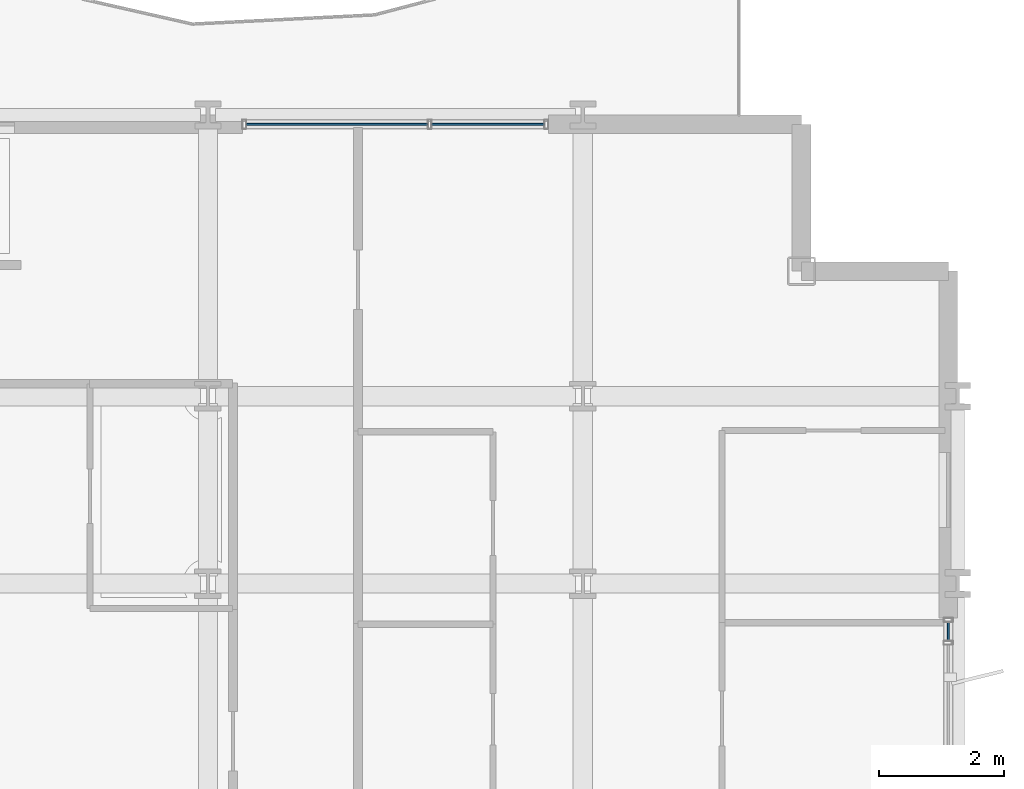
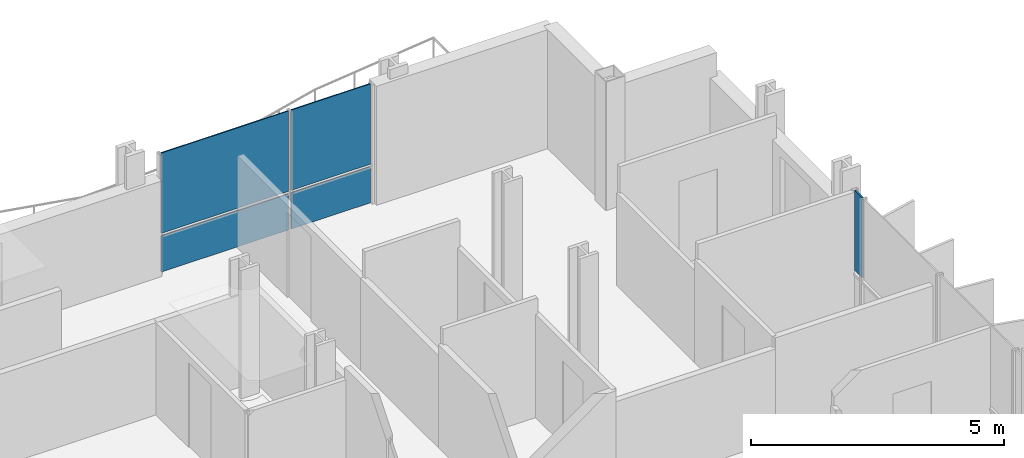
# One storey, part 24 of 38: 5 plates, 2 elements without a shape of their own.
"""IFC4 building model written with IfcOpenShell, lengths in metres."""

from ifc_helpers import new_model, si_unit, direction, frame, origin, origin_2d, place, context, subcontext, project, spatial, rectangle, extrude, material, layer, layer_set, type_object, element, aggregate, save


model = new_model("IFC4")

# Units and contexts
model_context = context("Model", 3, precision=1e-05, world=origin(), true_north=direction((0.0, 1.0)))
body_context = subcontext(model_context, "Body", "Model", "MODEL_VIEW")
ifc_project = project(units=[si_unit("LENGTHUNIT", "METRE"), si_unit("AREAUNIT", "SQUARE_METRE"), si_unit("VOLUMEUNIT", "CUBIC_METRE"), si_unit("PLANEANGLEUNIT", "RADIAN"), si_unit("MASSUNIT", "GRAM", prefix="KILO")], contexts=[model_context])

# Site, building, storey
site_placement = place(None, origin())
site = spatial("IfcSite", under=ifc_project, at=site_placement, CompositionType="ELEMENT")
building_placement = place(site_placement, origin())
building = spatial("IfcBuilding", under=site, at=building_placement, Name="Brevholm Reach", CompositionType="ELEMENT")
storey_placement = place(building_placement, frame((0.0, 0.0, 46.60009765625)))
storey = spatial("IfcBuildingStorey", under=building, at=storey_placement, Name="L12", CompositionType="ELEMENT", Elevation=46.60009765625)

# Curtain wall, plate
ifc_material_1 = material(Name="Dark Anodised Aluminium 6063-T6 and Solar-Control Glass", Category="aluminium")
ifc_layer_1 = layer(ifc_material_1, 0.14990234375)
ifc_layer_set_1 = layer_set([ifc_layer_1], Name="Dark Anodised Aluminium 6063-T6 and Solar-Control Glass")
curtain_wall_type = type_object("IfcCurtainWallType", Name="CW-01", PredefinedType="NOTDEFINED", material=ifc_layer_set_1)
curtain_wall_1_placement = place(storey_placement, origin())
curtain_wall_1 = element("IfcCurtainWall", 1, at=curtain_wall_1_placement, inside=storey, type_object=curtain_wall_type, Name="L12 Curtain Wall CW-01", PredefinedType="NOTDEFINED")
ifc_material_2 = material(Name="Dark Solar-Control Double-Glazed IGU Glass", Category="glass")
ifc_layer_2 = layer(ifc_material_2, 0.028076171875)
ifc_layer_set_2 = layer_set([ifc_layer_2], Name="Dark Solar-Control Double-Glazed IGU Glass")
plate_type = type_object("IfcPlateType", Name="CWP-GLZ-28", PredefinedType="CURTAIN_PANEL", material=ifc_layer_set_2)
plate_1_placement = place(storey_placement, frame((59.85009765625, 22.733642578125, 0.932373046875), z_axis=(0.0, 0.0, 1.0), x_axis=(0.0, 1.0, 0.0)))
plate_1 = element("IfcPlate", 2, at=plate_1_placement, type_object=plate_type, Name="CP-01 Glazing Panel 5.2", PredefinedType="CURTAIN_PANEL", context=body_context, shape_type="SweptSolid", body=[
    extrude(rectangle(XDim=0.302490234375, YDim=0.028076171875, at=origin_2d()), origin(), (0.0, 0.0, 1.0), 1.9375),
])
aggregate(curtain_wall_1, [plate_1])

# Curtain wall, plates
curtain_wall_2_placement = place(storey_placement, origin())
curtain_wall_2 = element("IfcCurtainWall", 3, at=curtain_wall_2_placement, inside=storey, type_object=curtain_wall_type, Name="L12 Curtain Wall CW-01", PredefinedType="NOTDEFINED")
plate_2_placement = place(storey_placement, frame((50.066162109375, 30.85009765625, 0.0), z_axis=(0.0, 0.0, 1.0), x_axis=(1.0, 0.0, 0.0)))
plate_2 = element("IfcPlate", 4, at=plate_2_placement, type_object=plate_type, Name="CP-01 Glazing Panel 1.1", PredefinedType="CURTAIN_PANEL", context=body_context, shape_type="SweptSolid", body=[
    extrude(rectangle(XDim=2.902587890625, YDim=0.028076171875, at=origin_2d()), origin(), (0.0, 0.0, 1.0), 0.867431640625),
])
plate_3_placement = place(storey_placement, frame((50.066162109375, 30.85009765625, 0.932373046875), z_axis=(0.0, 0.0, 1.0), x_axis=(1.0, 0.0, 0.0)))
plate_3 = element("IfcPlate", 5, at=plate_3_placement, type_object=plate_type, Name="CP-01 Glazing Panel 1.2", PredefinedType="CURTAIN_PANEL", context=body_context, shape_type="SweptSolid", body=[
    extrude(rectangle(XDim=2.902587890625, YDim=0.028076171875, at=origin_2d()), origin(), (0.0, 0.0, 1.0), 1.9375),
])
plate_4_placement = place(storey_placement, frame((52.483642578125, 30.85009765625, 0.0), z_axis=(0.0, 0.0, 1.0), x_axis=(1.0, 0.0, 0.0)))
plate_4 = element("IfcPlate", 6, at=plate_4_placement, type_object=plate_type, Name="CP-01 Glazing Panel 2.1", PredefinedType="CURTAIN_PANEL", context=body_context, shape_type="SweptSolid", body=[
    extrude(rectangle(XDim=1.802490234375, YDim=0.028076171875, at=origin_2d()), origin(), (0.0, 0.0, 1.0), 0.867431640625),
])
plate_5_placement = place(storey_placement, frame((52.483642578125, 30.85009765625, 0.932373046875), z_axis=(0.0, 0.0, 1.0), x_axis=(1.0, 0.0, 0.0)))
plate_5 = element("IfcPlate", 7, at=plate_5_placement, type_object=plate_type, Name="CP-01 Glazing Panel 2.2", PredefinedType="CURTAIN_PANEL", context=body_context, shape_type="SweptSolid", body=[
    extrude(rectangle(XDim=1.802490234375, YDim=0.028076171875, at=origin_2d()), origin(), (0.0, 0.0, 1.0), 1.9375),
])
aggregate(curtain_wall_2, [plate_2, plate_3, plate_4, plate_5])

save(model, "model.ifc")
